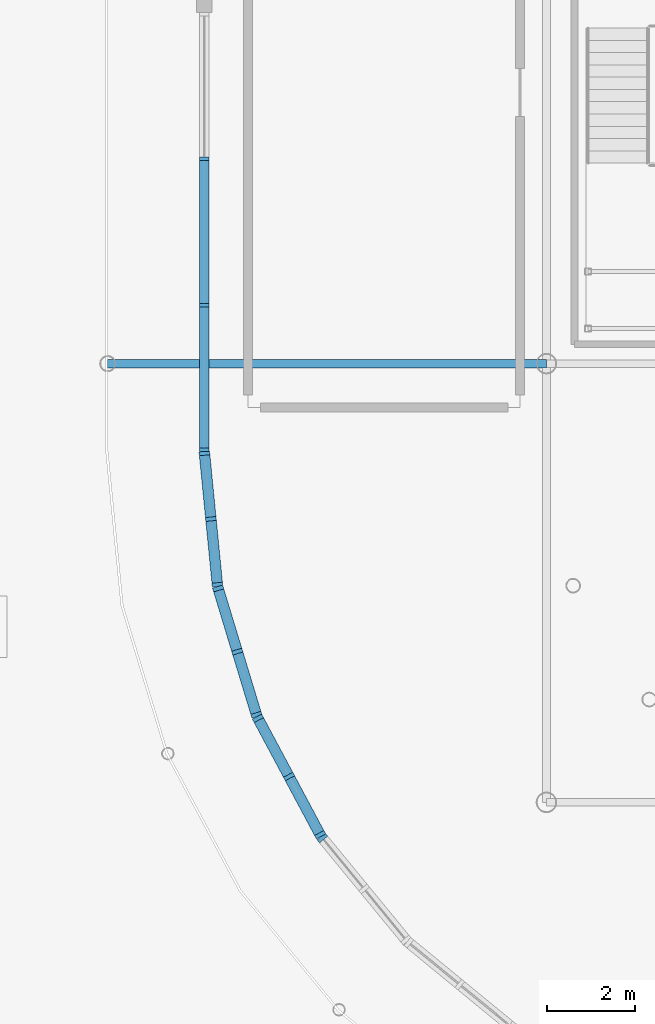
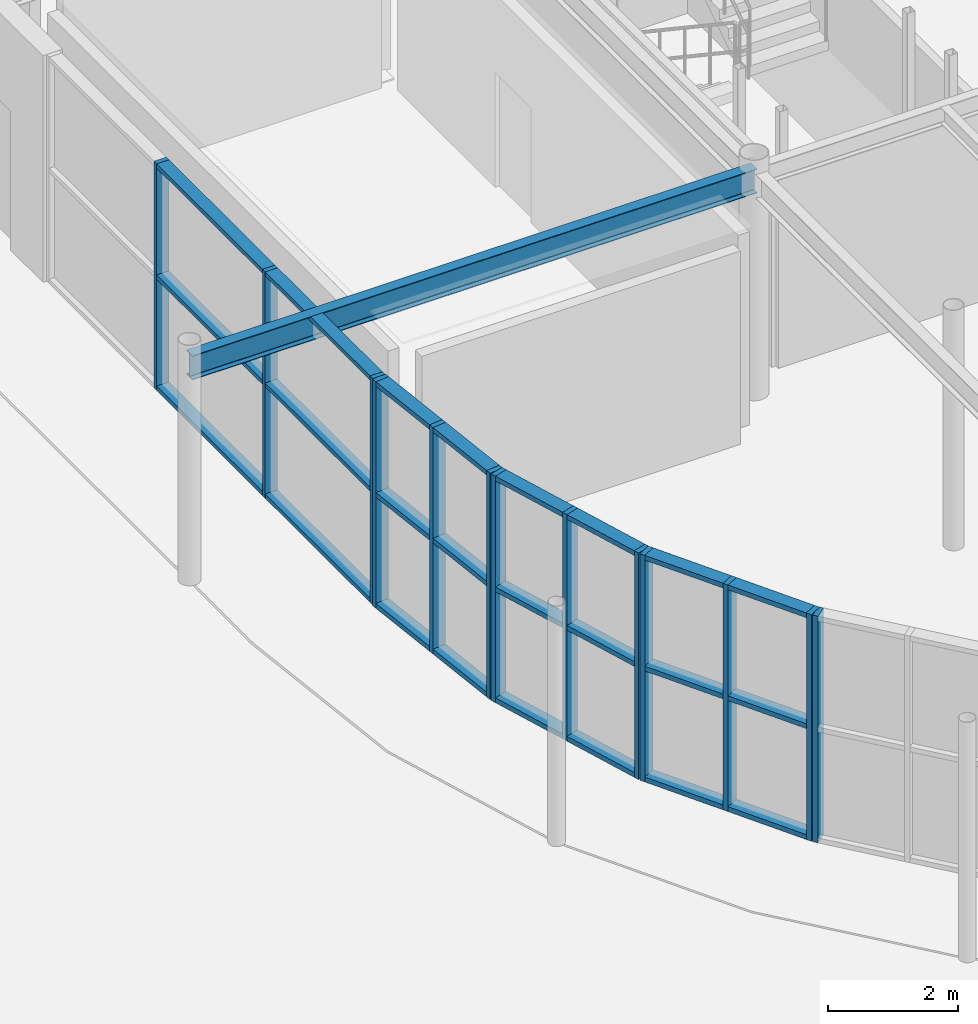
# One storey, part 47 of 119: 37 members, 1 beam, 5 elements without a shape of their own.
"""IFC4 building model written with IfcOpenShell, lengths in metres."""

from ifc_helpers import new_model, si_unit, derived_unit, direction, frame, origin, origin_2d_with_axis, place, context, subcontext, project, spatial, rectangle, i_section, extrude, material, material_profile, profile_set, type_object, element, aggregate, save


model = new_model("IFC4")

# Units and contexts
model_context = context("Model", 3, precision=1e-05, world=origin(), true_north=direction((0.0, 1.0)))
body_context = subcontext(model_context, "Body", "Model", "MODEL_VIEW")
ifc_project = project(units=[si_unit("LENGTHUNIT", "METRE"), si_unit("AREAUNIT", "SQUARE_METRE"), si_unit("VOLUMEUNIT", "CUBIC_METRE"), si_unit("PLANEANGLEUNIT", "RADIAN"), si_unit("MASSUNIT", "GRAM", prefix="KILO"), derived_unit("THERMALTRANSMITTANCEUNIT", [(si_unit("POWERUNIT", "WATT"), 1), (si_unit("LENGTHUNIT", "METRE"), -2), (si_unit("THERMODYNAMICTEMPERATUREUNIT", "KELVIN"), -1)])], contexts=[model_context])

# Site, building, storey
site_placement = place(None, origin())
site = spatial("IfcSite", under=ifc_project, at=site_placement, CompositionType="ELEMENT")
building_placement = place(site_placement, origin())
building = spatial("IfcBuilding", under=site, at=building_placement, Name="Cinnabar Yard Market Hall", CompositionType="ELEMENT")
storey_placement = place(building_placement, origin())
storey = spatial("IfcBuildingStorey", under=building, at=storey_placement, Name="L00", CompositionType="ELEMENT", Elevation=0.0)

# Beam
ifc_material_1 = material(Name="Steel Grade 300 (300 MPa)", Category="steel")
ifc_material_profile_1 = material_profile(ifc_material_1, i_section(OverallWidth=0.18994140625, OverallDepth=0.453857421875, WebThickness=0.008544921875, FlangeThickness=0.0126953125, FilletRadius=0.011474609375, at=origin_2d_with_axis()), Name="460UB67.1")
ifc_profile_set_1 = profile_set([ifc_material_profile_1], Name="Steel Grade 300 (300 MPa)")
beam_type = type_object("IfcBeamType", Name="BM-B05E", PredefinedType="BEAM", material=ifc_profile_set_1)
beam_placement = place(storey_placement, frame((76.0, 34.0, 4.01318359375), z_axis=(-1.0, 0.0, 0.0), x_axis=(0.0, -1.0, 0.0)))
element("IfcBeam", 1, at=beam_placement, inside=storey, type_object=beam_type, Name="L00 Gallery West Tie 00196", PredefinedType="BEAM", context=body_context, shape_type="SweptSolid", body=[
    extrude(i_section(OverallWidth=0.18994140625, OverallDepth=0.453857421875, WebThickness=0.008544921875, FlangeThickness=0.0126953125, FilletRadius=0.011474609375, at=origin_2d_with_axis()), origin(), (0.0, 0.0, 1.0), 10.0),
])

# Curtain wall, members
ifc_material_2 = material(Name="Anodised bronze aluminium curved-chord facade", Category="aluminium")
curtain_wall_type_1 = type_object("IfcCurtainWallType", Name="CW-CWC031x42", PredefinedType="NOTDEFINED", material=ifc_material_2)
curtain_wall_1_placement = place(storey_placement, origin())
curtain_wall_1 = element("IfcCurtainWall", 2, at=curtain_wall_1_placement, inside=storey, type_object=curtain_wall_type_1, Name="Corner SW Chord 1 L00", PredefinedType="NOTDEFINED")
ifc_material_3 = material(Name="Anodised bronze aluminium", Category="aluminium")
ifc_material_profile_2 = material_profile(ifc_material_3, rectangle(XDim=0.239990234375, YDim=0.090087890625, at=origin_2d_with_axis()), Name="MUL-CWC")
ifc_profile_set_2 = profile_set([ifc_material_profile_2], Name="Anodised bronze aluminium")
member_type_1 = type_object("IfcMemberType", Name="CWM-CWC", PredefinedType="MULLION", material=ifc_profile_set_2)
member_1_placement = place(storey_placement, frame((68.204345703125, 31.955322265625, 0.0), z_axis=(0.0, 0.0, 1.0), x_axis=(0.995184408637, 0.098020369342, 0.0)))
member_1 = element("IfcMember", 3, at=member_1_placement, type_object=member_type_1, Name="CWC031x42 mullion 1", PredefinedType="MULLION", context=body_context, shape_type="SweptSolid", body=[
    extrude(rectangle(XDim=0.239990234375, YDim=0.090087890625, at=origin_2d_with_axis()), origin(), (0.0, 0.0, 1.0), 4.239990234375),
])
member_2_placement = place(storey_placement, frame((68.351806640625, 30.458740234375, 0.0), z_axis=(0.0, 0.0, 1.0), x_axis=(0.995184408637, 0.098020369342, 0.0)))
member_2 = element("IfcMember", 4, at=member_2_placement, type_object=member_type_1, Name="CWC031x42 mullion 2", PredefinedType="MULLION", context=body_context, shape_type="SweptSolid", body=[
    extrude(rectangle(XDim=0.239990234375, YDim=0.090087890625, at=origin_2d_with_axis()), origin(), (0.0, 0.0, 1.0), 4.239990234375),
])
member_3_placement = place(storey_placement, frame((68.499267578125, 28.96240234375, 0.0), z_axis=(0.0, 0.0, 1.0), x_axis=(0.995184408637, 0.098020369342, 0.0)))
member_3 = element("IfcMember", 5, at=member_3_placement, type_object=member_type_1, Name="CWC031x42 mullion 3", PredefinedType="MULLION", context=body_context, shape_type="SweptSolid", body=[
    extrude(rectangle(XDim=0.239990234375, YDim=0.090087890625, at=origin_2d_with_axis()), origin(), (0.0, 0.0, 1.0), 4.239990234375),
])

curtain_wall_2_placement = place(storey_placement, origin())
curtain_wall_2 = element("IfcCurtainWall", 6, at=curtain_wall_2_placement, inside=storey, type_object=curtain_wall_type_1, Name="Corner SW Chord 2 L00", PredefinedType="NOTDEFINED")
member_4_placement = place(storey_placement, frame((68.5166015625, 28.87451171875, 0.0), z_axis=(0.0, 0.0, 1.0), x_axis=(0.956942090856, 0.290278891325, 0.0)))
member_4 = element("IfcMember", 7, at=member_4_placement, type_object=member_type_1, Name="CWC031x42 mullion 1", PredefinedType="MULLION", context=body_context, shape_type="SweptSolid", body=[
    extrude(rectangle(XDim=0.239990234375, YDim=0.090087890625, at=origin_2d_with_axis()), origin(), (0.0, 0.0, 1.0), 4.239990234375),
])
member_5_placement = place(storey_placement, frame((68.953125, 27.435546875, 0.0), z_axis=(0.0, 0.0, 1.0), x_axis=(0.956942090856, 0.290278891325, 0.0)))
member_5 = element("IfcMember", 8, at=member_5_placement, type_object=member_type_1, Name="CWC031x42 mullion 2", PredefinedType="MULLION", context=body_context, shape_type="SweptSolid", body=[
    extrude(rectangle(XDim=0.239990234375, YDim=0.090087890625, at=origin_2d_with_axis()), origin(), (0.0, 0.0, 1.0), 4.239990234375),
])
member_6_placement = place(storey_placement, frame((69.3896484375, 25.99658203125, 0.0), z_axis=(0.0, 0.0, 1.0), x_axis=(0.956942090856, 0.290278891325, 0.0)))
member_6 = element("IfcMember", 9, at=member_6_placement, type_object=member_type_1, Name="CWC031x42 mullion 3", PredefinedType="MULLION", context=body_context, shape_type="SweptSolid", body=[
    extrude(rectangle(XDim=0.239990234375, YDim=0.090087890625, at=origin_2d_with_axis()), origin(), (0.0, 0.0, 1.0), 4.239990234375),
])

curtain_wall_3_placement = place(storey_placement, origin())
curtain_wall_3 = element("IfcCurtainWall", 10, at=curtain_wall_3_placement, inside=storey, type_object=curtain_wall_type_1, Name="Corner SW Chord 3 L00", PredefinedType="NOTDEFINED")
member_7_placement = place(storey_placement, frame((69.423828125, 25.913818359375, 0.0), z_axis=(0.0, 0.0, 1.0), x_axis=(0.881917320707, 0.471404114786, 0.0)))
member_7 = element("IfcMember", 11, at=member_7_placement, type_object=member_type_1, Name="CWC031x42 mullion 1", PredefinedType="MULLION", context=body_context, shape_type="SweptSolid", body=[
    extrude(rectangle(XDim=0.239990234375, YDim=0.090087890625, at=origin_2d_with_axis()), origin(), (0.0, 0.0, 1.0), 4.239990234375),
])
member_8_placement = place(storey_placement, frame((70.1328125, 24.587890625, 0.0), z_axis=(0.0, 0.0, 1.0), x_axis=(0.881917320707, 0.471404114786, 0.0)))
member_8 = element("IfcMember", 12, at=member_8_placement, type_object=member_type_1, Name="CWC031x42 mullion 2", PredefinedType="MULLION", context=body_context, shape_type="SweptSolid", body=[
    extrude(rectangle(XDim=0.239990234375, YDim=0.090087890625, at=origin_2d_with_axis()), origin(), (0.0, 0.0, 1.0), 4.239990234375),
])
member_9_placement = place(storey_placement, frame((70.841552734375, 23.26171875, 0.0), z_axis=(0.0, 0.0, 1.0), x_axis=(0.881917320707, 0.471404114786, 0.0)))
member_9 = element("IfcMember", 13, at=member_9_placement, type_object=member_type_1, Name="CWC031x42 mullion 3", PredefinedType="MULLION", context=body_context, shape_type="SweptSolid", body=[
    extrude(rectangle(XDim=0.239990234375, YDim=0.090087890625, at=origin_2d_with_axis()), origin(), (0.0, 0.0, 1.0), 4.239990234375),
])

# Curtain wall, member
curtain_wall_4_placement = place(storey_placement, origin())
curtain_wall_4 = element("IfcCurtainWall", 14, at=curtain_wall_4_placement, inside=storey, type_object=curtain_wall_type_1, Name="Corner SW Chord 4 L00", PredefinedType="NOTDEFINED")
member_10_placement = place(storey_placement, frame((70.891357421875, 23.187255859375, 0.0), z_axis=(0.0, 0.0, 1.0), x_axis=(0.773018564222, 0.634383400924, 0.0)))
member_10 = element("IfcMember", 15, at=member_10_placement, type_object=member_type_1, Name="CWC031x42 mullion 1", PredefinedType="MULLION", context=body_context, shape_type="SweptSolid", body=[
    extrude(rectangle(XDim=0.239990234375, YDim=0.090087890625, at=origin_2d_with_axis()), origin(), (0.0, 0.0, 1.0), 4.239990234375),
])
aggregate(curtain_wall_4, [member_10])

# Curtain wall, members
ifc_material_4 = material(Name="Anodised bronze aluminium and low-E glass", Category="aluminium")
curtain_wall_type_2 = type_object("IfcCurtainWallType", Name="CW-CWH100x42", PredefinedType="NOTDEFINED", material=ifc_material_4)
curtain_wall_5_placement = place(storey_placement, origin())
curtain_wall_5 = element("IfcCurtainWall", 16, at=curtain_wall_5_placement, inside=storey, type_object=curtain_wall_type_2, Name="Market Hall West Ground Glazing W1", PredefinedType="NOTDEFINED")
ifc_material_profile_3 = material_profile(ifc_material_3, rectangle(XDim=0.219970703125, YDim=0.080078125, at=origin_2d_with_axis()), Name="MUL-CWH")
ifc_profile_set_3 = profile_set([ifc_material_profile_3], Name="Anodised bronze aluminium")
member_type_2 = type_object("IfcMemberType", Name="CWM-CWH", PredefinedType="MULLION", material=ifc_profile_set_3)
member_11_placement = place(storey_placement, frame((68.199951171875, 38.666748046875, 0.0), z_axis=(0.0, 0.0, 1.0), x_axis=(1.0, 0.0, 0.0)))
member_11 = element("IfcMember", 17, at=member_11_placement, type_object=member_type_2, Name="CWH100x42 mullion 2", PredefinedType="MULLION", context=body_context, shape_type="SweptSolid", body=[
    extrude(rectangle(XDim=0.219970703125, YDim=0.080078125, at=origin_2d_with_axis()), origin(), (0.0, 0.0, 1.0), 4.239990234375),
])
member_12_placement = place(storey_placement, frame((68.199951171875, 35.333251953125, 0.0), z_axis=(0.0, 0.0, 1.0), x_axis=(1.0, 0.0, 0.0)))
member_12 = element("IfcMember", 18, at=member_12_placement, type_object=member_type_2, Name="CWH100x42 mullion 3", PredefinedType="MULLION", context=body_context, shape_type="SweptSolid", body=[
    extrude(rectangle(XDim=0.219970703125, YDim=0.080078125, at=origin_2d_with_axis()), origin(), (0.0, 0.0, 1.0), 4.239990234375),
])
member_13_placement = place(storey_placement, frame((68.199951171875, 32.0400390625, 0.0), z_axis=(0.0, 0.0, 1.0), x_axis=(1.0, 0.0, 0.0)))
member_13 = element("IfcMember", 19, at=member_13_placement, type_object=member_type_2, Name="CWH100x42 mullion 4", PredefinedType="MULLION", context=body_context, shape_type="SweptSolid", body=[
    extrude(rectangle(XDim=0.219970703125, YDim=0.080078125, at=origin_2d_with_axis()), origin(), (0.0, 0.0, 1.0), 4.239990234375),
])

# Member
ifc_material_profile_4 = material_profile(ifc_material_3, rectangle(XDim=0.239990234375, YDim=0.090087890625, at=origin_2d_with_axis()), Name="TRN-CWC")
ifc_profile_set_4 = profile_set([ifc_material_profile_4], Name="Anodised bronze aluminium")
member_type_3 = type_object("IfcMemberType", Name="CWT-CWC", PredefinedType="USERDEFINED", material=ifc_profile_set_4)
member_14_placement = place(storey_placement, frame((68.208740234375, 31.910400390625, 0.044921875), z_axis=(0.098101390058, -0.995176425197, 0.0), x_axis=(0.995176425197, 0.098101390058, 0.0)))
member_14 = element("IfcMember", 20, at=member_14_placement, type_object=member_type_3, Name="CWC031x42 transom 1.1", ObjectType="TRANSOM", PredefinedType="USERDEFINED", context=body_context, shape_type="SweptSolid", body=[
    extrude(rectangle(XDim=0.239990234375, YDim=0.090087890625, at=origin_2d_with_axis()), origin(), (0.0, 0.0, 1.0), 1.41357421875),
])

member_15_placement = place(storey_placement, frame((68.208740234375, 31.910400390625, 2.1201171875), z_axis=(0.098101390058, -0.995176425197, 0.0), x_axis=(0.995176425197, 0.098101390058, 0.0)))
member_15 = element("IfcMember", 21, at=member_15_placement, type_object=member_type_3, Name="CWC031x42 transom 1.2", ObjectType="TRANSOM", PredefinedType="USERDEFINED", context=body_context, shape_type="SweptSolid", body=[
    extrude(rectangle(XDim=0.239990234375, YDim=0.090087890625, at=origin_2d_with_axis()), origin(), (0.0, 0.0, 1.0), 1.41357421875),
])

member_16_placement = place(storey_placement, frame((68.208740234375, 31.910400390625, 4.195068359375), z_axis=(0.098101390058, -0.995176425197, 0.0), x_axis=(0.995176425197, 0.098101390058, 0.0)))
member_16 = element("IfcMember", 22, at=member_16_placement, type_object=member_type_3, Name="CWC031x42 transom 1.3", ObjectType="TRANSOM", PredefinedType="USERDEFINED", context=body_context, shape_type="SweptSolid", body=[
    extrude(rectangle(XDim=0.239990234375, YDim=0.090087890625, at=origin_2d_with_axis()), origin(), (0.0, 0.0, 1.0), 1.41357421875),
])

member_17_placement = place(storey_placement, frame((68.356201171875, 30.4140625, 0.044921875), z_axis=(0.098084531214, -0.995178086946, 0.0), x_axis=(0.995178086946, 0.098084531214, 0.0)))
member_17 = element("IfcMember", 23, at=member_17_placement, type_object=member_type_3, Name="CWC031x42 transom 2.1", ObjectType="TRANSOM", PredefinedType="USERDEFINED", context=body_context, shape_type="SweptSolid", body=[
    extrude(rectangle(XDim=0.239990234375, YDim=0.090087890625, at=origin_2d_with_axis()), origin(), (0.0, 0.0, 1.0), 1.413818359375),
])

member_18_placement = place(storey_placement, frame((68.356201171875, 30.4140625, 2.1201171875), z_axis=(0.098084531214, -0.995178086946, 0.0), x_axis=(0.995178086946, 0.098084531214, 0.0)))
member_18 = element("IfcMember", 24, at=member_18_placement, type_object=member_type_3, Name="CWC031x42 transom 2.2", ObjectType="TRANSOM", PredefinedType="USERDEFINED", context=body_context, shape_type="SweptSolid", body=[
    extrude(rectangle(XDim=0.239990234375, YDim=0.090087890625, at=origin_2d_with_axis()), origin(), (0.0, 0.0, 1.0), 1.413818359375),
])

member_19_placement = place(storey_placement, frame((68.356201171875, 30.4140625, 4.195068359375), z_axis=(0.098084531214, -0.995178086946, 0.0), x_axis=(0.995178086946, 0.098084531214, 0.0)))
member_19 = element("IfcMember", 25, at=member_19_placement, type_object=member_type_3, Name="CWC031x42 transom 2.3", ObjectType="TRANSOM", PredefinedType="USERDEFINED", context=body_context, shape_type="SweptSolid", body=[
    extrude(rectangle(XDim=0.239990234375, YDim=0.090087890625, at=origin_2d_with_axis()), origin(), (0.0, 0.0, 1.0), 1.413818359375),
])

aggregate(curtain_wall_1, [member_1, member_2, member_3, member_14, member_15, member_16, member_17, member_18, member_19])

member_20_placement = place(storey_placement, frame((68.52978515625, 28.83154296875, 0.044921875), z_axis=(0.290309352341, -0.956932850279, 0.0), x_axis=(0.956932850279, 0.290309352341, 0.0)))
member_20 = element("IfcMember", 26, at=member_20_placement, type_object=member_type_3, Name="CWC031x42 transom 1.1", ObjectType="TRANSOM", PredefinedType="USERDEFINED", context=body_context, shape_type="SweptSolid", body=[
    extrude(rectangle(XDim=0.239990234375, YDim=0.090087890625, at=origin_2d_with_axis()), origin(), (0.0, 0.0, 1.0), 1.41357421875),
])

member_21_placement = place(storey_placement, frame((68.52978515625, 28.83154296875, 2.1201171875), z_axis=(0.290309352341, -0.956932850279, 0.0), x_axis=(0.956932850279, 0.290309352341, 0.0)))
member_21 = element("IfcMember", 27, at=member_21_placement, type_object=member_type_3, Name="CWC031x42 transom 1.2", ObjectType="TRANSOM", PredefinedType="USERDEFINED", context=body_context, shape_type="SweptSolid", body=[
    extrude(rectangle(XDim=0.239990234375, YDim=0.090087890625, at=origin_2d_with_axis()), origin(), (0.0, 0.0, 1.0), 1.41357421875),
])

member_22_placement = place(storey_placement, frame((68.52978515625, 28.83154296875, 4.195068359375), z_axis=(0.290309352341, -0.956932850279, 0.0), x_axis=(0.956932850279, 0.290309352341, 0.0)))
member_22 = element("IfcMember", 28, at=member_22_placement, type_object=member_type_3, Name="CWC031x42 transom 1.3", ObjectType="TRANSOM", PredefinedType="USERDEFINED", context=body_context, shape_type="SweptSolid", body=[
    extrude(rectangle(XDim=0.239990234375, YDim=0.090087890625, at=origin_2d_with_axis()), origin(), (0.0, 0.0, 1.0), 1.41357421875),
])

member_23_placement = place(storey_placement, frame((68.96630859375, 27.392578125, 0.044921875), z_axis=(0.290151195166, -0.956980816915, 0.0), x_axis=(0.956980816915, 0.290151195166, 0.0)))
member_23 = element("IfcMember", 29, at=member_23_placement, type_object=member_type_3, Name="CWC031x42 transom 2.1", ObjectType="TRANSOM", PredefinedType="USERDEFINED", context=body_context, shape_type="SweptSolid", body=[
    extrude(rectangle(XDim=0.239990234375, YDim=0.090087890625, at=origin_2d_with_axis()), origin(), (0.0, 0.0, 1.0), 1.41357421875),
])

member_24_placement = place(storey_placement, frame((68.96630859375, 27.392578125, 2.1201171875), z_axis=(0.290151195166, -0.956980816915, 0.0), x_axis=(0.956980816915, 0.290151195166, 0.0)))
member_24 = element("IfcMember", 30, at=member_24_placement, type_object=member_type_3, Name="CWC031x42 transom 2.2", ObjectType="TRANSOM", PredefinedType="USERDEFINED", context=body_context, shape_type="SweptSolid", body=[
    extrude(rectangle(XDim=0.239990234375, YDim=0.090087890625, at=origin_2d_with_axis()), origin(), (0.0, 0.0, 1.0), 1.41357421875),
])

member_25_placement = place(storey_placement, frame((68.96630859375, 27.392578125, 4.195068359375), z_axis=(0.290151195166, -0.956980816915, 0.0), x_axis=(0.956980816915, 0.290151195166, 0.0)))
member_25 = element("IfcMember", 31, at=member_25_placement, type_object=member_type_3, Name="CWC031x42 transom 2.3", ObjectType="TRANSOM", PredefinedType="USERDEFINED", context=body_context, shape_type="SweptSolid", body=[
    extrude(rectangle(XDim=0.239990234375, YDim=0.090087890625, at=origin_2d_with_axis()), origin(), (0.0, 0.0, 1.0), 1.41357421875),
])

aggregate(curtain_wall_2, [member_4, member_5, member_6, member_20, member_21, member_22, member_23, member_24, member_25])

member_26_placement = place(storey_placement, frame((69.445068359375, 25.874267578125, 0.044921875), z_axis=(0.471430533224, -0.881903198965, 0.0), x_axis=(0.881903198965, 0.471430533224, 0.0)))
member_26 = element("IfcMember", 32, at=member_26_placement, type_object=member_type_3, Name="CWC031x42 transom 1.1", ObjectType="TRANSOM", PredefinedType="USERDEFINED", context=body_context, shape_type="SweptSolid", body=[
    extrude(rectangle(XDim=0.239990234375, YDim=0.090087890625, at=origin_2d_with_axis()), origin(), (0.0, 0.0, 1.0), 1.413818359375),
])

member_27_placement = place(storey_placement, frame((69.445068359375, 25.874267578125, 2.1201171875), z_axis=(0.471430533224, -0.881903198965, 0.0), x_axis=(0.881903198965, 0.471430533224, 0.0)))
member_27 = element("IfcMember", 33, at=member_27_placement, type_object=member_type_3, Name="CWC031x42 transom 1.2", ObjectType="TRANSOM", PredefinedType="USERDEFINED", context=body_context, shape_type="SweptSolid", body=[
    extrude(rectangle(XDim=0.239990234375, YDim=0.090087890625, at=origin_2d_with_axis()), origin(), (0.0, 0.0, 1.0), 1.413818359375),
])

member_28_placement = place(storey_placement, frame((69.445068359375, 25.874267578125, 4.195068359375), z_axis=(0.471430533224, -0.881903198965, 0.0), x_axis=(0.881903198965, 0.471430533224, 0.0)))
member_28 = element("IfcMember", 34, at=member_28_placement, type_object=member_type_3, Name="CWC031x42 transom 1.3", ObjectType="TRANSOM", PredefinedType="USERDEFINED", context=body_context, shape_type="SweptSolid", body=[
    extrude(rectangle(XDim=0.239990234375, YDim=0.090087890625, at=origin_2d_with_axis()), origin(), (0.0, 0.0, 1.0), 1.413818359375),
])

member_29_placement = place(storey_placement, frame((70.154052734375, 24.548095703125, 0.044921875), z_axis=(0.471296210365, -0.881974989496, 0.0), x_axis=(0.881974989496, 0.471296210365, 0.0)))
member_29 = element("IfcMember", 35, at=member_29_placement, type_object=member_type_3, Name="CWC031x42 transom 2.1", ObjectType="TRANSOM", PredefinedType="USERDEFINED", context=body_context, shape_type="SweptSolid", body=[
    extrude(rectangle(XDim=0.239990234375, YDim=0.090087890625, at=origin_2d_with_axis()), origin(), (0.0, 0.0, 1.0), 1.41357421875),
])

member_30_placement = place(storey_placement, frame((70.154052734375, 24.548095703125, 2.1201171875), z_axis=(0.471296210365, -0.881974989496, 0.0), x_axis=(0.881974989496, 0.471296210365, 0.0)))
member_30 = element("IfcMember", 36, at=member_30_placement, type_object=member_type_3, Name="CWC031x42 transom 2.2", ObjectType="TRANSOM", PredefinedType="USERDEFINED", context=body_context, shape_type="SweptSolid", body=[
    extrude(rectangle(XDim=0.239990234375, YDim=0.090087890625, at=origin_2d_with_axis()), origin(), (0.0, 0.0, 1.0), 1.41357421875),
])

member_31_placement = place(storey_placement, frame((70.154052734375, 24.548095703125, 4.195068359375), z_axis=(0.471296210365, -0.881974989496, 0.0), x_axis=(0.881974989496, 0.471296210365, 0.0)))
member_31 = element("IfcMember", 37, at=member_31_placement, type_object=member_type_3, Name="CWC031x42 transom 2.3", ObjectType="TRANSOM", PredefinedType="USERDEFINED", context=body_context, shape_type="SweptSolid", body=[
    extrude(rectangle(XDim=0.239990234375, YDim=0.090087890625, at=origin_2d_with_axis()), origin(), (0.0, 0.0, 1.0), 1.41357421875),
])

aggregate(curtain_wall_3, [member_7, member_8, member_9, member_26, member_27, member_28, member_29, member_30, member_31])

ifc_material_profile_5 = material_profile(ifc_material_3, rectangle(XDim=0.219970703125, YDim=0.080078125, at=origin_2d_with_axis()), Name="TRN-CWH")
ifc_profile_set_5 = profile_set([ifc_material_profile_5], Name="Anodised bronze aluminium")
member_type_4 = type_object("IfcMemberType", Name="CWT-CWH", PredefinedType="USERDEFINED", material=ifc_profile_set_5)
member_32_placement = place(storey_placement, frame((68.199951171875, 38.626708984375, 0.0400390625), z_axis=(0.0, -1.0, 0.0), x_axis=(1.0, 0.0, 0.0)))
member_32 = element("IfcMember", 38, at=member_32_placement, type_object=member_type_4, Name="CWH100x42 transom 2.1", ObjectType="TRANSOM", PredefinedType="USERDEFINED", context=body_context, shape_type="SweptSolid", body=[
    extrude(rectangle(XDim=0.219970703125, YDim=0.080078125, at=origin_2d_with_axis()), origin(), (0.0, 0.0, 1.0), 3.25341796875),
])

member_33_placement = place(storey_placement, frame((68.199951171875, 38.626708984375, 2.1201171875), z_axis=(0.0, -1.0, 0.0), x_axis=(1.0, 0.0, 0.0)))
member_33 = element("IfcMember", 39, at=member_33_placement, type_object=member_type_4, Name="CWH100x42 transom 2.2", ObjectType="TRANSOM", PredefinedType="USERDEFINED", context=body_context, shape_type="SweptSolid", body=[
    extrude(rectangle(XDim=0.219970703125, YDim=0.080078125, at=origin_2d_with_axis()), origin(), (0.0, 0.0, 1.0), 3.25341796875),
])

member_34_placement = place(storey_placement, frame((68.199951171875, 38.626708984375, 4.199951171875), z_axis=(0.0, -1.0, 0.0), x_axis=(1.0, 0.0, 0.0)))
member_34 = element("IfcMember", 40, at=member_34_placement, type_object=member_type_4, Name="CWH100x42 transom 2.3", ObjectType="TRANSOM", PredefinedType="USERDEFINED", context=body_context, shape_type="SweptSolid", body=[
    extrude(rectangle(XDim=0.219970703125, YDim=0.080078125, at=origin_2d_with_axis()), origin(), (0.0, 0.0, 1.0), 3.25341796875),
])

member_35_placement = place(storey_placement, frame((68.199951171875, 35.293212890625, 0.0400390625), z_axis=(0.0, -1.0, 0.0), x_axis=(1.0, 0.0, 0.0)))
member_35 = element("IfcMember", 41, at=member_35_placement, type_object=member_type_4, Name="CWH100x42 transom 3.1", ObjectType="TRANSOM", PredefinedType="USERDEFINED", context=body_context, shape_type="SweptSolid", body=[
    extrude(rectangle(XDim=0.219970703125, YDim=0.080078125, at=origin_2d_with_axis()), origin(), (0.0, 0.0, 1.0), 3.213134765625),
])

member_36_placement = place(storey_placement, frame((68.199951171875, 35.293212890625, 2.1201171875), z_axis=(0.0, -1.0, 0.0), x_axis=(1.0, 0.0, 0.0)))
member_36 = element("IfcMember", 42, at=member_36_placement, type_object=member_type_4, Name="CWH100x42 transom 3.2", ObjectType="TRANSOM", PredefinedType="USERDEFINED", context=body_context, shape_type="SweptSolid", body=[
    extrude(rectangle(XDim=0.219970703125, YDim=0.080078125, at=origin_2d_with_axis()), origin(), (0.0, 0.0, 1.0), 3.213134765625),
])

member_37_placement = place(storey_placement, frame((68.199951171875, 35.293212890625, 4.199951171875), z_axis=(0.0, -1.0, 0.0), x_axis=(1.0, 0.0, 0.0)))
member_37 = element("IfcMember", 43, at=member_37_placement, type_object=member_type_4, Name="CWH100x42 transom 3.3", ObjectType="TRANSOM", PredefinedType="USERDEFINED", context=body_context, shape_type="SweptSolid", body=[
    extrude(rectangle(XDim=0.219970703125, YDim=0.080078125, at=origin_2d_with_axis()), origin(), (0.0, 0.0, 1.0), 3.213134765625),
])

aggregate(curtain_wall_5, [member_11, member_12, member_13, member_32, member_33, member_34, member_35, member_36, member_37])

save(model, "model.ifc")
